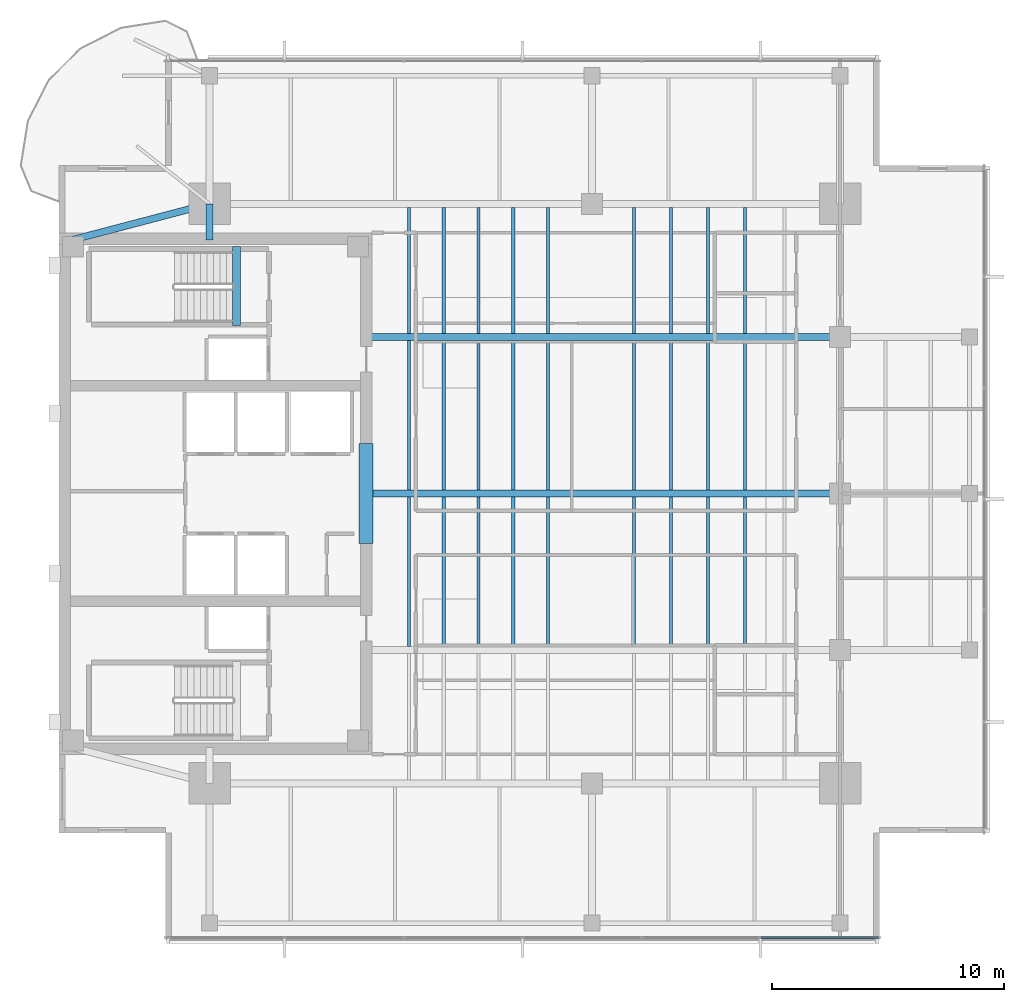
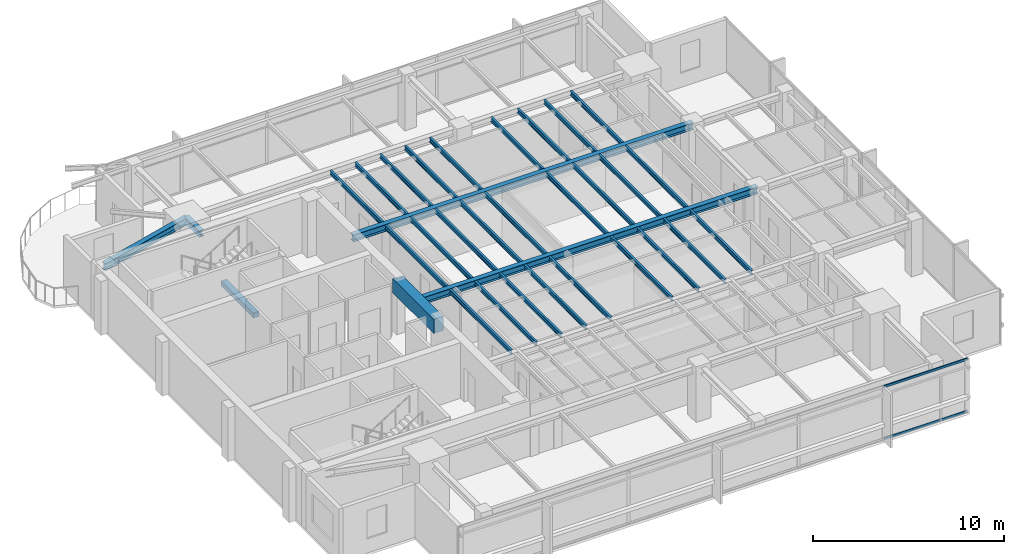
# One storey, part 3 of 14: 33 beams, 2 members, 1 element without a shape of its own.
"""IFC4 building model written with IfcOpenShell, lengths in metres."""

import ifcopenshell
import ifcopenshell.guid

model = None  # the IFC model being written
_history = None  # IfcOwnerHistory: only IFC2X3 demands one
_inside = {}  # id of a spatial element -> (the spatial element, [elements in it])
_under = {}  # id of a project, library or spatial element -> (it, [spatial elements below it])
_declared = {}  # id of a project -> (the project, [libraries it declares])
_typed = {}  # id of a type object -> (the type object, [elements of that type])
_made_of = {}  # id of a material, layer set ... -> (it, [elements and type objects made of it])


def new_model(schema):
    """Start an empty IFC model of exactly this schema.

    Asked for "IFC4X3", IfcOpenShell would pick the latest addendum, in which some entities
    have other attributes; the version numbers below select the first issue.
    IFC2X3 requires an IfcOwnerHistory on every rooted entity: one is made here for all.
    """
    global model, _history
    if schema == "IFC4X3":
        model = ifcopenshell.file(schema_version=(4, 3, 0, 0))
    else:
        model = ifcopenshell.file(schema=schema)
    _inside.clear()
    _under.clear()
    _declared.clear()
    _typed.clear()
    _made_of.clear()
    _history = None
    if model.schema == "IFC2X3":
        org = make("IfcOrganization", Name="unknown")
        user = make(
            "IfcPersonAndOrganization",
            ThePerson=make("IfcPerson", FamilyName="unknown"),
            TheOrganization=org,
        )
        app = make(
            "IfcApplication",
            ApplicationDeveloper=org,
            Version="unknown",
            ApplicationFullName="unknown",
            ApplicationIdentifier="unknown",
        )
        _history = make(
            "IfcOwnerHistory",
            OwningUser=user,
            OwningApplication=app,
            ChangeAction="ADDED",
            CreationDate=0,
        )
    return model


def make(cls, **values):
    """One entity of the class cls with the attributes given. An attribute that is None is left unset."""
    return model.create_entity(
        cls, **{name: value for name, value in values.items() if value is not None}
    )


def rooted(cls, **values):
    """An entity with a GlobalId (a new one), such as an element, a storey or a relation."""
    return make(cls, GlobalId=ifcopenshell.guid.new(), OwnerHistory=_history, **values)


def si_unit(unit_type, name, prefix=None):
    """IfcSIUnit, for example si_unit("LENGTHUNIT", "METRE", prefix="MILLI")."""
    return make("IfcSIUnit", UnitType=unit_type, Prefix=prefix, Name=name)


def assignment(units):
    """IfcUnitAssignment: the units of a project."""
    return None if units is None else make("IfcUnitAssignment", Units=units)


def point(xyz):
    """IfcCartesianPoint."""
    return None if xyz is None else make("IfcCartesianPoint", Coordinates=xyz)


def direction(xyz):
    """IfcDirection."""
    return None if xyz is None else make("IfcDirection", DirectionRatios=xyz)


def frame(location, z_axis=None, x_axis=None):
    """IfcAxis2Placement3D, a coordinate frame: its origin and axes. An axis left out is left unset."""
    return make(
        "IfcAxis2Placement3D",
        Location=point(location),
        Axis=direction(z_axis),
        RefDirection=direction(x_axis),
    )


def frame_2d(location, x_axis=None):
    """IfcAxis2Placement2D, a coordinate frame in the plane: its origin and x axis."""
    return make(
        "IfcAxis2Placement2D", Location=point(location), RefDirection=direction(x_axis)
    )


def origin():
    """The frame at (0, 0, 0) with its axes left unset."""
    return frame((0.0, 0.0, 0.0))


def origin_2d():
    """The frame at (0, 0) in the plane with its x axis left unset."""
    return frame_2d((0.0, 0.0))


def place(relative_to, where):
    """IfcLocalPlacement: puts the frame where relative to a parent placement (None: the world)."""
    return make(
        "IfcLocalPlacement", PlacementRelTo=relative_to, RelativePlacement=where
    )


def context(
    kind, dimensions, precision=None, world=None, true_north=None, identifier=None
):
    """IfcGeometricRepresentationContext, for example the 3D "Model" context."""
    return make(
        "IfcGeometricRepresentationContext",
        ContextIdentifier=identifier,
        ContextType=kind,
        CoordinateSpaceDimension=dimensions,
        Precision=precision,
        WorldCoordinateSystem=world,
        TrueNorth=true_north,
    )


def subcontext(parent, identifier, kind, view, scale=None):
    """IfcGeometricRepresentationSubContext, for example "Body" below "Model"."""
    return make(
        "IfcGeometricRepresentationSubContext",
        ContextIdentifier=identifier,
        ContextType=kind,
        ParentContext=parent,
        TargetScale=scale,
        TargetView=view,
    )


def project(units=None, contexts=None):
    """IfcProject with its units and contexts."""
    return rooted(
        "IfcProject",
        Name="project",
        RepresentationContexts=contexts,
        UnitsInContext=assignment(units),
    )


def spatial(cls, under=None, at=None, **own):
    """A site, building, storey or space (cls), placed at a placement, below another one or the project."""
    s = rooted(cls, ObjectPlacement=at, **own)
    if under is not None:
        _under.setdefault(under.id(), (under, []))[1].append(s)
    return s


def profile(cls, at=None, kind="AREA", **sizes):
    """A parametric profile (cls). Its sizes go by their IFC names, for example OverallWidth=200.0."""
    return make(cls, ProfileType=kind, Position=at, **sizes)


def rectangle(**sizes):
    """IfcRectangleProfileDef."""
    return profile("IfcRectangleProfileDef", **sizes)


def i_section(**sizes):
    """IfcIShapeProfileDef."""
    return profile("IfcIShapeProfileDef", **sizes)


def extrude(swept, where, along, depth):
    """IfcExtrudedAreaSolid: the profile swept, set in the frame where, extruded along a direction by depth."""
    return make(
        "IfcExtrudedAreaSolid",
        SweptArea=swept,
        Position=where,
        ExtrudedDirection=direction(along),
        Depth=depth,
    )


def shape(context_of_items, identifier, shape_type, items):
    """IfcShapeRepresentation: the items that make up one representation, for example the "Body"."""
    return make(
        "IfcShapeRepresentation",
        ContextOfItems=context_of_items,
        RepresentationIdentifier=identifier,
        RepresentationType=shape_type,
        Items=items,
    )


def material(Name=None, Category=None):
    """IfcMaterial."""
    return make("IfcMaterial", Name=Name, Category=Category)


def layer(
    of_material, thickness, ventilated=None, Name=None, Category=None, Priority=None
):
    """IfcMaterialLayer: one layer of a wall or slab, of a material (None: an air gap)."""
    return make(
        "IfcMaterialLayer",
        Material=of_material,
        LayerThickness=thickness,
        IsVentilated=ventilated,
        Name=Name,
        Category=Category,
        Priority=Priority,
    )


def layer_set(layers, Name=None):
    """IfcMaterialLayerSet."""
    return make("IfcMaterialLayerSet", MaterialLayers=layers, LayerSetName=Name)


def material_profile(
    of_material, cross_section, Name=None, Category=None, Priority=None
):
    """IfcMaterialProfile: a cross section and its material."""
    return make(
        "IfcMaterialProfile",
        Name=Name,
        Material=of_material,
        Profile=cross_section,
        Priority=Priority,
        Category=Category,
    )


def profile_set(profiles, Name=None, composite=None):
    """IfcMaterialProfileSet."""
    return make(
        "IfcMaterialProfileSet",
        Name=Name,
        MaterialProfiles=profiles,
        CompositeProfile=composite,
    )


def made_of(thing, what):
    """Note that an element or type object is made of a material, layer set ...; save() writes the relation."""
    if what is not None:
        _made_of.setdefault(what.id(), (what, []))[1].append(thing)
    return thing


def type_object(cls, material=None, **own):
    """A type object (cls), such as IfcWallType, which elements share."""
    return made_of(rooted(cls, **own), material)


def element(
    cls,
    number,
    at=None,
    inside=None,
    cuts=None,
    type_object=None,
    material=None,
    context=None,
    identifier="Body",
    shape_type=None,
    held_by="IfcProductDefinitionShape",
    body=None,
    shapes=None,
    **own,
):
    """One element of the class cls, such as IfcWall. Its Tag is "e" and its number.

    at: its placement. inside: the storey or other place that contains it. cuts: it is an
    opening in that element (IfcRelVoidsElement). A single representation is given by context,
    identifier, shape_type and body (its items); several are given by shapes. held_by: the class
    of the entity that holds the representations. save() writes the other relations.
    """
    e = rooted(cls, Tag="e%d" % number, ObjectPlacement=at, **own)
    if body is not None:
        shapes = [shape(context, identifier, shape_type, body)]
    if shapes is not None:
        e.Representation = make(held_by, Representations=shapes)
    if inside is not None:
        _inside.setdefault(inside.id(), (inside, []))[1].append(e)
    if cuts is not None:
        rooted(
            "IfcRelVoidsElement", RelatingBuildingElement=cuts, RelatedOpeningElement=e
        )
    if type_object is not None:
        _typed.setdefault(type_object.id(), (type_object, []))[1].append(e)
    return made_of(e, material)


def aggregate(whole, parts):
    """IfcRelAggregates: a whole, such as a stair, and the parts it consists of."""
    return rooted("IfcRelAggregates", RelatingObject=whole, RelatedObjects=parts)


def save(model, path):
    """Write the relations noted so far, then the file.

    IfcRelAggregates (storeys below a building ...), IfcRelContainedInSpatialStructure (elements
    in a storey), IfcRelDefinesByType, IfcRelAssociatesMaterial and IfcRelDeclares: one each for
    every whole, place, type object, material and project.
    """
    for whole, parts in _under.values():
        aggregate(whole, parts)
    for where, things in _inside.values():
        rooted(
            "IfcRelContainedInSpatialStructure",
            RelatedElements=things,
            RelatingStructure=where,
        )
    for kind, things in _typed.values():
        rooted("IfcRelDefinesByType", RelatedObjects=things, RelatingType=kind)
    for what, things in _made_of.values():
        rooted("IfcRelAssociatesMaterial", RelatedObjects=things, RelatingMaterial=what)
    for by, libraries in _declared.values():
        rooted("IfcRelDeclares", RelatingContext=by, RelatedDefinitions=libraries)
    model.write(path)


model = new_model("IFC4")

# Units and contexts
model_context = context("Model", 3, precision=1e-05, world=origin(), true_north=direction((0.0, 1.0)))
body_context = subcontext(model_context, "Body", "Model", "MODEL_VIEW")
ifc_project = project(units=[si_unit("LENGTHUNIT", "METRE"), si_unit("AREAUNIT", "SQUARE_METRE"), si_unit("VOLUMEUNIT", "CUBIC_METRE"), si_unit("PLANEANGLEUNIT", "RADIAN"), si_unit("MASSUNIT", "GRAM", prefix="KILO")], contexts=[model_context])

# Site, building, storey
site_placement = place(None, origin())
site = spatial("IfcSite", under=ifc_project, at=site_placement, CompositionType="ELEMENT")
building_placement = place(site_placement, origin())
building = spatial("IfcBuilding", under=site, at=building_placement, Name="Kinhvarn Gate Tower", CompositionType="ELEMENT")
storey_placement = place(building_placement, frame((0.0, 0.0, 256.35009765625)))
storey = spatial("IfcBuildingStorey", under=building, at=storey_placement, Name="L68", CompositionType="ELEMENT", Elevation=256.35009765625)

# Beams
ifc_material_1 = material(Name="Concrete C60/75", Category="concrete")
ifc_material_profile_1 = material_profile(ifc_material_1, rectangle(XDim=0.60009765625, YDim=0.89990234375, at=origin_2d()), Name="RC 600x900")
ifc_profile_set_1 = profile_set([ifc_material_profile_1], Name="Concrete C60/75")
beam_type_1 = type_object("IfcBeamType", Name="BM-CB-900", PredefinedType="LINTEL", material=ifc_profile_set_1)
beam_1_placement = place(storey_placement, frame((17.75, 23.10009765625, 2.93994140625), z_axis=(0.0, 1.0, 0.0), x_axis=(-1.0, 0.0, 0.0)))
element("IfcBeam", 1, at=beam_1_placement, inside=storey, type_object=beam_type_1, Name="Core East Portal Coupling Beam L68", PredefinedType="LINTEL", context=body_context, shape_type="SweptSolid", body=[
    extrude(rectangle(XDim=0.60009765625, YDim=0.89990234375, at=origin_2d()), origin(), (0.0, 0.0, 1.0), 4.2998046875),
])
ifc_material_2 = material(Name="Concrete C50/60", Category="concrete")
ifc_material_profile_2 = material_profile(ifc_material_2, rectangle(XDim=0.340087890625, YDim=0.320068359375, at=origin_2d()), Name="RC 340x320")
ifc_profile_set_2 = profile_set([ifc_material_profile_2], Name="Concrete C50/60")
beam_type_2 = type_object("IfcBeamType", Name="BM-LND-500", PredefinedType="BEAM", material=ifc_profile_set_2)
beam_2_placement = place(storey_placement, frame((12.1650390625, 32.5, -0.16015625), z_axis=(0.0, 1.0, 0.0), x_axis=(-1.0, 0.0, 0.0)))
element("IfcBeam", 2, at=beam_2_placement, inside=storey, type_object=beam_type_2, Name="Stair ST2 Landing Nosing Beam (L68)", PredefinedType="BEAM", context=body_context, shape_type="SweptSolid", body=[
    extrude(rectangle(XDim=0.340087890625, YDim=0.320068359375, at=origin_2d()), origin(), (0.0, 0.0, 1.0), 3.39990234375),
])

# Curtain wall, members
ifc_material_3 = material(Name="Anodised aluminium AW-6063", Category="aluminium")
ifc_layer = layer(ifc_material_3, 0.179931640625)
ifc_layer_set = layer_set([ifc_layer], Name="Anodised aluminium AW-6063")
curtain_wall_type = type_object("IfcCurtainWallType", Name="CW-SYS-3", PredefinedType="NOTDEFINED", material=ifc_layer_set)
curtain_wall_placement = place(storey_placement, origin())
curtain_wall = element("IfcCurtainWall", 3, at=curtain_wall_placement, inside=storey, type_object=curtain_wall_type, Name="Curtain Wall CW3 (L68)", PredefinedType="NOTDEFINED")
ifc_material_profile_3 = material_profile(ifc_material_3, rectangle(XDim=0.070068359375, YDim=0.139892578125, at=origin_2d()), Name="ALU 70x140")
ifc_profile_set_3 = profile_set([ifc_material_profile_3], Name="Anodised aluminium AW-6063")
member_type = type_object("IfcMemberType", Name="CW-TRN-140", PredefinedType="USERDEFINED", material=ifc_profile_set_3)
member_1_placement = place(storey_placement, frame((34.799072265625, 6.090087890625, 0.034912109375), z_axis=(1.0, 0.0, 0.0), x_axis=(0.0, 1.0, 0.0)))
member_1 = element("IfcMember", 4, at=member_1_placement, type_object=member_type, Name="CW3 transom 6.1", ObjectType="TRANSOM", PredefinedType="USERDEFINED", context=body_context, shape_type="SweptSolid", body=[
    extrude(rectangle(XDim=0.070068359375, YDim=0.139892578125, at=origin_2d()), origin(), (0.0, 0.0, 1.0), 5.035888671875),
])
member_2_placement = place(storey_placement, frame((34.799072265625, 6.090087890625, 3.35498046875), z_axis=(1.0, 0.0, 0.0), x_axis=(0.0, 1.0, 0.0)))
member_2 = element("IfcMember", 5, at=member_2_placement, type_object=member_type, Name="CW3 transom 6.2", ObjectType="TRANSOM", PredefinedType="USERDEFINED", context=body_context, shape_type="SweptSolid", body=[
    extrude(rectangle(XDim=0.070068359375, YDim=0.139892578125, at=origin_2d()), origin(), (0.0, 0.0, 1.0), 5.035888671875),
])
aggregate(curtain_wall, [member_1, member_2])

# Beams
ifc_material_4 = material(Name="Steel S355", Category="steel")
ifc_material_profile_4 = material_profile(ifc_material_4, i_section(OverallWidth=0.300048828125, OverallDepth=0.39990234375, WebThickness=0.013427734375, FlangeThickness=0.02392578125, at=origin_2d()), Name="HEB 400")
ifc_profile_set_4 = profile_set([ifc_material_profile_4], Name="Steel S355")
beam_type_3 = type_object("IfcBeamType", Name="STL-HEB400", PredefinedType="BEAM", material=ifc_profile_set_4)
beam_3_placement = place(storey_placement, frame((11.0, 36.199951171875, 3.18994140625), z_axis=(0.0, 1.0, 0.0), x_axis=(-1.0, 0.0, 0.0)))
element("IfcBeam", 6, at=beam_3_placement, inside=storey, type_object=beam_type_3, Name="Floor Beam PG-12 (L68 MCW-CN)", PredefinedType="BEAM", context=body_context, shape_type="SweptSolid", body=[
    extrude(i_section(OverallWidth=0.300048828125, OverallDepth=0.39990234375, WebThickness=0.013427734375, FlangeThickness=0.02392578125, at=origin_2d()), origin(), (0.0, 0.0, 1.0), 1.550048828125),
])
ifc_material_profile_5 = material_profile(ifc_material_4, i_section(OverallWidth=0.300048828125, OverallDepth=0.449951171875, WebThickness=0.013916015625, FlangeThickness=0.02587890625, at=origin_2d()), Name="HEB 450")
ifc_profile_set_5 = profile_set([ifc_material_profile_5], Name="Steel S355")
beam_type_4 = type_object("IfcBeamType", Name="STL-HEB450", PredefinedType="BEAM", material=ifc_profile_set_5)
beam_4_placement = place(storey_placement, frame((5.10009765625, 36.199951171875, 3.164794921875), z_axis=(0.967177623957, 0.254101246979, 0.0), x_axis=(-0.254101246979, 0.967177623957, 0.0)))
element("IfcBeam", 7, at=beam_4_placement, inside=storey, type_object=beam_type_4, Name="Floor Beam PG-13 (L68 MG-NW-DIAG)", PredefinedType="BEAM", context=body_context, shape_type="SweptSolid", body=[
    extrude(i_section(OverallWidth=0.300048828125, OverallDepth=0.449951171875, WebThickness=0.013916015625, FlangeThickness=0.02587890625, at=origin_2d()), origin(), (0.0, 0.0, 1.0), 6.10009765625),
])
beam_5_placement = place(storey_placement, frame((18.050048828125, 25.25, 3.164794921875), z_axis=(1.0, 0.0, 0.0), x_axis=(0.0, 1.0, 0.0)))
element("IfcBeam", 8, at=beam_5_placement, inside=storey, type_object=beam_type_4, Name="Floor Beam PG-13 (L68 EW1-Y25)", PredefinedType="BEAM", context=body_context, shape_type="SweptSolid", body=[
    extrude(i_section(OverallWidth=0.300048828125, OverallDepth=0.449951171875, WebThickness=0.013916015625, FlangeThickness=0.02587890625, at=origin_2d()), origin(), (0.0, 0.0, 1.0), 20.14990234375),
])
beam_6_placement = place(storey_placement, frame((17.64990234375, 32.0, 3.164794921875), z_axis=(1.0, 0.0, 0.0), x_axis=(0.0, 1.0, 0.0)))
element("IfcBeam", 9, at=beam_6_placement, inside=storey, type_object=beam_type_4, Name="Floor Beam PG-13 (L68 EW1-Y32)", PredefinedType="BEAM", context=body_context, shape_type="SweptSolid", body=[
    extrude(i_section(OverallWidth=0.300048828125, OverallDepth=0.449951171875, WebThickness=0.013916015625, FlangeThickness=0.02587890625, at=origin_2d()), origin(), (0.0, 0.0, 1.0), 20.550048828125),
])
ifc_material_profile_6 = material_profile(ifc_material_4, i_section(OverallWidth=0.135009765625, OverallDepth=0.27001953125, WebThickness=0.006591796875, FlangeThickness=0.01025390625, at=origin_2d()), Name="IPE 270")
ifc_profile_set_6 = profile_set([ifc_material_profile_6], Name="Steel S355")
beam_type_5 = type_object("IfcBeamType", Name="STL-IPE270", PredefinedType="JOIST", material=ifc_profile_set_6)
for number, where, z_axis, x_axis, name in (
    (10, (19.60009765625, 18.64990234375, 3.2548828125), (0.0, 1.0, 0.0), (-1.0, 0.0, 0.0), "Floor Joist SB-01 (L68 JC-X196-1)"),
    (11, (19.60009765625, 25.39990234375, 3.2548828125), (0.0, 1.0, 0.0), (-1.0, 0.0, 0.0), "Floor Joist SB-01 (L68 JC-X196-2)"),
):
    element("IfcBeam", number, at=place(storey_placement, frame(where, z_axis=z_axis, x_axis=x_axis)), inside=storey, type_object=beam_type_5, Name=name, PredefinedType="JOIST", context=body_context, shape_type="SweptSolid", body=[
        extrude(i_section(OverallWidth=0.135009765625, OverallDepth=0.27001953125, WebThickness=0.006591796875, FlangeThickness=0.01025390625, at=origin_2d()), origin(), (0.0, 0.0, 1.0), 6.4501953125),
    ])
beam_7_placement = place(storey_placement, frame((19.60009765625, 32.14990234375, 3.2548828125), z_axis=(0.0, 1.0, 0.0), x_axis=(-1.0, 0.0, 0.0)))
element("IfcBeam", 12, at=beam_7_placement, inside=storey, type_object=beam_type_5, Name="Floor Joist SB-01 (L68 JC-X196-3)", PredefinedType="JOIST", context=body_context, shape_type="SweptSolid", body=[
    extrude(i_section(OverallWidth=0.135009765625, OverallDepth=0.27001953125, WebThickness=0.006591796875, FlangeThickness=0.01025390625, at=origin_2d()), origin(), (0.0, 0.0, 1.0), 5.4501953125),
])
for number, where, z_axis, x_axis, name in (
    (13, (21.10009765625, 18.64990234375, 3.2548828125), (0.0, 1.0, 0.0), (-1.0, 0.0, 0.0), "Floor Joist SB-01 (L68 JC-X211-1)"),
    (14, (21.10009765625, 25.39990234375, 3.2548828125), (0.0, 1.0, 0.0), (-1.0, 0.0, 0.0), "Floor Joist SB-01 (L68 JC-X211-2)"),
):
    element("IfcBeam", number, at=place(storey_placement, frame(where, z_axis=z_axis, x_axis=x_axis)), inside=storey, type_object=beam_type_5, Name=name, PredefinedType="JOIST", context=body_context, shape_type="SweptSolid", body=[
        extrude(i_section(OverallWidth=0.135009765625, OverallDepth=0.27001953125, WebThickness=0.006591796875, FlangeThickness=0.01025390625, at=origin_2d()), origin(), (0.0, 0.0, 1.0), 6.4501953125),
    ])
beam_8_placement = place(storey_placement, frame((21.10009765625, 32.14990234375, 3.2548828125), z_axis=(0.0, 1.0, 0.0), x_axis=(-1.0, 0.0, 0.0)))
element("IfcBeam", 15, at=beam_8_placement, inside=storey, type_object=beam_type_5, Name="Floor Joist SB-01 (L68 JC-X211-3)", PredefinedType="JOIST", context=body_context, shape_type="SweptSolid", body=[
    extrude(i_section(OverallWidth=0.135009765625, OverallDepth=0.27001953125, WebThickness=0.006591796875, FlangeThickness=0.01025390625, at=origin_2d()), origin(), (0.0, 0.0, 1.0), 5.4501953125),
])
for number, where, z_axis, x_axis, name in (
    (16, (22.60009765625, 18.64990234375, 3.2548828125), (0.0, 1.0, 0.0), (-1.0, 0.0, 0.0), "Floor Joist SB-01 (L68 JC-X226-1)"),
    (17, (22.60009765625, 25.39990234375, 3.2548828125), (0.0, 1.0, 0.0), (-1.0, 0.0, 0.0), "Floor Joist SB-01 (L68 JC-X226-2)"),
):
    element("IfcBeam", number, at=place(storey_placement, frame(where, z_axis=z_axis, x_axis=x_axis)), inside=storey, type_object=beam_type_5, Name=name, PredefinedType="JOIST", context=body_context, shape_type="SweptSolid", body=[
        extrude(i_section(OverallWidth=0.135009765625, OverallDepth=0.27001953125, WebThickness=0.006591796875, FlangeThickness=0.01025390625, at=origin_2d()), origin(), (0.0, 0.0, 1.0), 6.4501953125),
    ])
beam_9_placement = place(storey_placement, frame((22.60009765625, 32.14990234375, 3.2548828125), z_axis=(0.0, 1.0, 0.0), x_axis=(-1.0, 0.0, 0.0)))
element("IfcBeam", 18, at=beam_9_placement, inside=storey, type_object=beam_type_5, Name="Floor Joist SB-01 (L68 JC-X226-3)", PredefinedType="JOIST", context=body_context, shape_type="SweptSolid", body=[
    extrude(i_section(OverallWidth=0.135009765625, OverallDepth=0.27001953125, WebThickness=0.006591796875, FlangeThickness=0.01025390625, at=origin_2d()), origin(), (0.0, 0.0, 1.0), 5.4501953125),
])
for number, where, z_axis, x_axis, name in (
    (19, (24.10009765625, 18.64990234375, 3.2548828125), (0.0, 1.0, 0.0), (-1.0, 0.0, 0.0), "Floor Joist SB-01 (L68 JC-X241-1)"),
    (20, (24.10009765625, 25.39990234375, 3.2548828125), (0.0, 1.0, 0.0), (-1.0, 0.0, 0.0), "Floor Joist SB-01 (L68 JC-X241-2)"),
):
    element("IfcBeam", number, at=place(storey_placement, frame(where, z_axis=z_axis, x_axis=x_axis)), inside=storey, type_object=beam_type_5, Name=name, PredefinedType="JOIST", context=body_context, shape_type="SweptSolid", body=[
        extrude(i_section(OverallWidth=0.135009765625, OverallDepth=0.27001953125, WebThickness=0.006591796875, FlangeThickness=0.01025390625, at=origin_2d()), origin(), (0.0, 0.0, 1.0), 6.4501953125),
    ])
beam_10_placement = place(storey_placement, frame((24.10009765625, 32.14990234375, 3.2548828125), z_axis=(0.0, 1.0, 0.0), x_axis=(-1.0, 0.0, 0.0)))
element("IfcBeam", 21, at=beam_10_placement, inside=storey, type_object=beam_type_5, Name="Floor Joist SB-01 (L68 JC-X241-3)", PredefinedType="JOIST", context=body_context, shape_type="SweptSolid", body=[
    extrude(i_section(OverallWidth=0.135009765625, OverallDepth=0.27001953125, WebThickness=0.006591796875, FlangeThickness=0.01025390625, at=origin_2d()), origin(), (0.0, 0.0, 1.0), 5.4501953125),
])
for number, where, z_axis, x_axis, name in (
    (22, (25.60009765625, 18.64990234375, 3.2548828125), (0.0, 1.0, 0.0), (-1.0, 0.0, 0.0), "Floor Joist SB-01 (L68 JC-X256-1)"),
    (23, (25.60009765625, 25.39990234375, 3.2548828125), (0.0, 1.0, 0.0), (-1.0, 0.0, 0.0), "Floor Joist SB-01 (L68 JC-X256-2)"),
):
    element("IfcBeam", number, at=place(storey_placement, frame(where, z_axis=z_axis, x_axis=x_axis)), inside=storey, type_object=beam_type_5, Name=name, PredefinedType="JOIST", context=body_context, shape_type="SweptSolid", body=[
        extrude(i_section(OverallWidth=0.135009765625, OverallDepth=0.27001953125, WebThickness=0.006591796875, FlangeThickness=0.01025390625, at=origin_2d()), origin(), (0.0, 0.0, 1.0), 6.4501953125),
    ])
beam_11_placement = place(storey_placement, frame((25.60009765625, 32.14990234375, 3.2548828125), z_axis=(0.0, 1.0, 0.0), x_axis=(-1.0, 0.0, 0.0)))
element("IfcBeam", 24, at=beam_11_placement, inside=storey, type_object=beam_type_5, Name="Floor Joist SB-01 (L68 JC-X256-3)", PredefinedType="JOIST", context=body_context, shape_type="SweptSolid", body=[
    extrude(i_section(OverallWidth=0.135009765625, OverallDepth=0.27001953125, WebThickness=0.006591796875, FlangeThickness=0.01025390625, at=origin_2d()), origin(), (0.0, 0.0, 1.0), 5.4501953125),
])
for number, where, z_axis, x_axis, name in (
    (25, (29.300048828125, 18.64990234375, 3.2548828125), (0.0, 1.0, 0.0), (-1.0, 0.0, 0.0), "Floor Joist SB-01 (L68 JC-X293-1)"),
    (26, (29.300048828125, 25.39990234375, 3.2548828125), (0.0, 1.0, 0.0), (-1.0, 0.0, 0.0), "Floor Joist SB-01 (L68 JC-X293-2)"),
):
    element("IfcBeam", number, at=place(storey_placement, frame(where, z_axis=z_axis, x_axis=x_axis)), inside=storey, type_object=beam_type_5, Name=name, PredefinedType="JOIST", context=body_context, shape_type="SweptSolid", body=[
        extrude(i_section(OverallWidth=0.135009765625, OverallDepth=0.27001953125, WebThickness=0.006591796875, FlangeThickness=0.01025390625, at=origin_2d()), origin(), (0.0, 0.0, 1.0), 6.4501953125),
    ])
beam_12_placement = place(storey_placement, frame((29.300048828125, 32.14990234375, 3.2548828125), z_axis=(0.0, 1.0, 0.0), x_axis=(-1.0, 0.0, 0.0)))
element("IfcBeam", 27, at=beam_12_placement, inside=storey, type_object=beam_type_5, Name="Floor Joist SB-01 (L68 JC-X293-3)", PredefinedType="JOIST", context=body_context, shape_type="SweptSolid", body=[
    extrude(i_section(OverallWidth=0.135009765625, OverallDepth=0.27001953125, WebThickness=0.006591796875, FlangeThickness=0.01025390625, at=origin_2d()), origin(), (0.0, 0.0, 1.0), 5.4501953125),
])
for number, where, z_axis, x_axis, name in (
    (28, (30.89990234375, 18.64990234375, 3.2548828125), (0.0, 1.0, 0.0), (-1.0, 0.0, 0.0), "Floor Joist SB-01 (L68 JC-X309-1)"),
    (29, (30.89990234375, 25.39990234375, 3.2548828125), (0.0, 1.0, 0.0), (-1.0, 0.0, 0.0), "Floor Joist SB-01 (L68 JC-X309-2)"),
):
    element("IfcBeam", number, at=place(storey_placement, frame(where, z_axis=z_axis, x_axis=x_axis)), inside=storey, type_object=beam_type_5, Name=name, PredefinedType="JOIST", context=body_context, shape_type="SweptSolid", body=[
        extrude(i_section(OverallWidth=0.135009765625, OverallDepth=0.27001953125, WebThickness=0.006591796875, FlangeThickness=0.01025390625, at=origin_2d()), origin(), (0.0, 0.0, 1.0), 6.4501953125),
    ])
beam_13_placement = place(storey_placement, frame((30.89990234375, 32.14990234375, 3.2548828125), z_axis=(0.0, 1.0, 0.0), x_axis=(-1.0, 0.0, 0.0)))
element("IfcBeam", 30, at=beam_13_placement, inside=storey, type_object=beam_type_5, Name="Floor Joist SB-01 (L68 JC-X309-3)", PredefinedType="JOIST", context=body_context, shape_type="SweptSolid", body=[
    extrude(i_section(OverallWidth=0.135009765625, OverallDepth=0.27001953125, WebThickness=0.006591796875, FlangeThickness=0.01025390625, at=origin_2d()), origin(), (0.0, 0.0, 1.0), 5.4501953125),
])
for number, where, z_axis, x_axis, name in (
    (31, (32.5, 18.64990234375, 3.2548828125), (0.0, 1.0, 0.0), (-1.0, 0.0, 0.0), "Floor Joist SB-01 (L68 JC-X325-1)"),
    (32, (32.5, 25.39990234375, 3.2548828125), (0.0, 1.0, 0.0), (-1.0, 0.0, 0.0), "Floor Joist SB-01 (L68 JC-X325-2)"),
):
    element("IfcBeam", number, at=place(storey_placement, frame(where, z_axis=z_axis, x_axis=x_axis)), inside=storey, type_object=beam_type_5, Name=name, PredefinedType="JOIST", context=body_context, shape_type="SweptSolid", body=[
        extrude(i_section(OverallWidth=0.135009765625, OverallDepth=0.27001953125, WebThickness=0.006591796875, FlangeThickness=0.01025390625, at=origin_2d()), origin(), (0.0, 0.0, 1.0), 6.4501953125),
    ])
beam_14_placement = place(storey_placement, frame((32.5, 32.14990234375, 3.2548828125), z_axis=(0.0, 1.0, 0.0), x_axis=(-1.0, 0.0, 0.0)))
element("IfcBeam", 33, at=beam_14_placement, inside=storey, type_object=beam_type_5, Name="Floor Joist SB-01 (L68 JC-X325-3)", PredefinedType="JOIST", context=body_context, shape_type="SweptSolid", body=[
    extrude(i_section(OverallWidth=0.135009765625, OverallDepth=0.27001953125, WebThickness=0.006591796875, FlangeThickness=0.01025390625, at=origin_2d()), origin(), (0.0, 0.0, 1.0), 5.4501953125),
])
for number, where, z_axis, x_axis, name in (
    (34, (34.10009765625, 18.64990234375, 3.2548828125), (0.0, 1.0, 0.0), (-1.0, 0.0, 0.0), "Floor Joist SB-01 (L68 JC-X341-1)"),
    (35, (34.10009765625, 25.39990234375, 3.2548828125), (0.0, 1.0, 0.0), (-1.0, 0.0, 0.0), "Floor Joist SB-01 (L68 JC-X341-2)"),
):
    element("IfcBeam", number, at=place(storey_placement, frame(where, z_axis=z_axis, x_axis=x_axis)), inside=storey, type_object=beam_type_5, Name=name, PredefinedType="JOIST", context=body_context, shape_type="SweptSolid", body=[
        extrude(i_section(OverallWidth=0.135009765625, OverallDepth=0.27001953125, WebThickness=0.006591796875, FlangeThickness=0.01025390625, at=origin_2d()), origin(), (0.0, 0.0, 1.0), 6.4501953125),
    ])
beam_15_placement = place(storey_placement, frame((34.10009765625, 32.14990234375, 3.2548828125), z_axis=(0.0, 1.0, 0.0), x_axis=(-1.0, 0.0, 0.0)))
element("IfcBeam", 36, at=beam_15_placement, inside=storey, type_object=beam_type_5, Name="Floor Joist SB-01 (L68 JC-X341-3)", PredefinedType="JOIST", context=body_context, shape_type="SweptSolid", body=[
    extrude(i_section(OverallWidth=0.135009765625, OverallDepth=0.27001953125, WebThickness=0.006591796875, FlangeThickness=0.01025390625, at=origin_2d()), origin(), (0.0, 0.0, 1.0), 5.4501953125),
])

save(model, "model.ifc")
